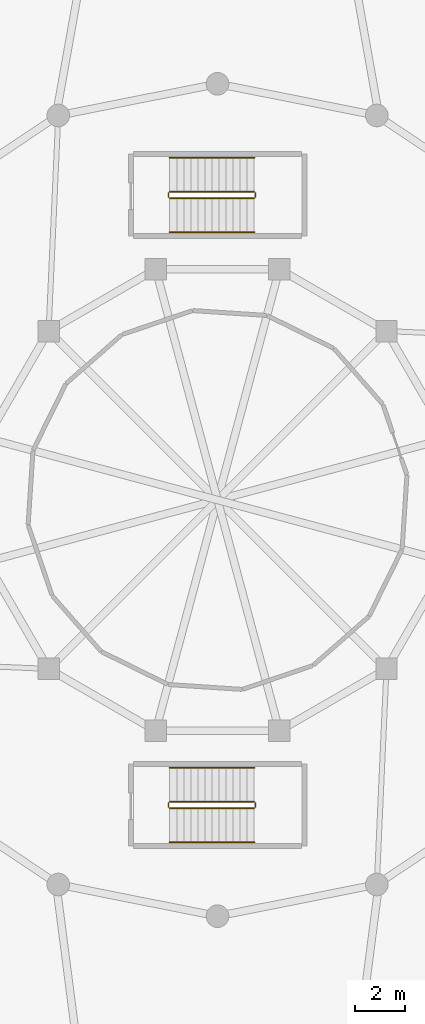
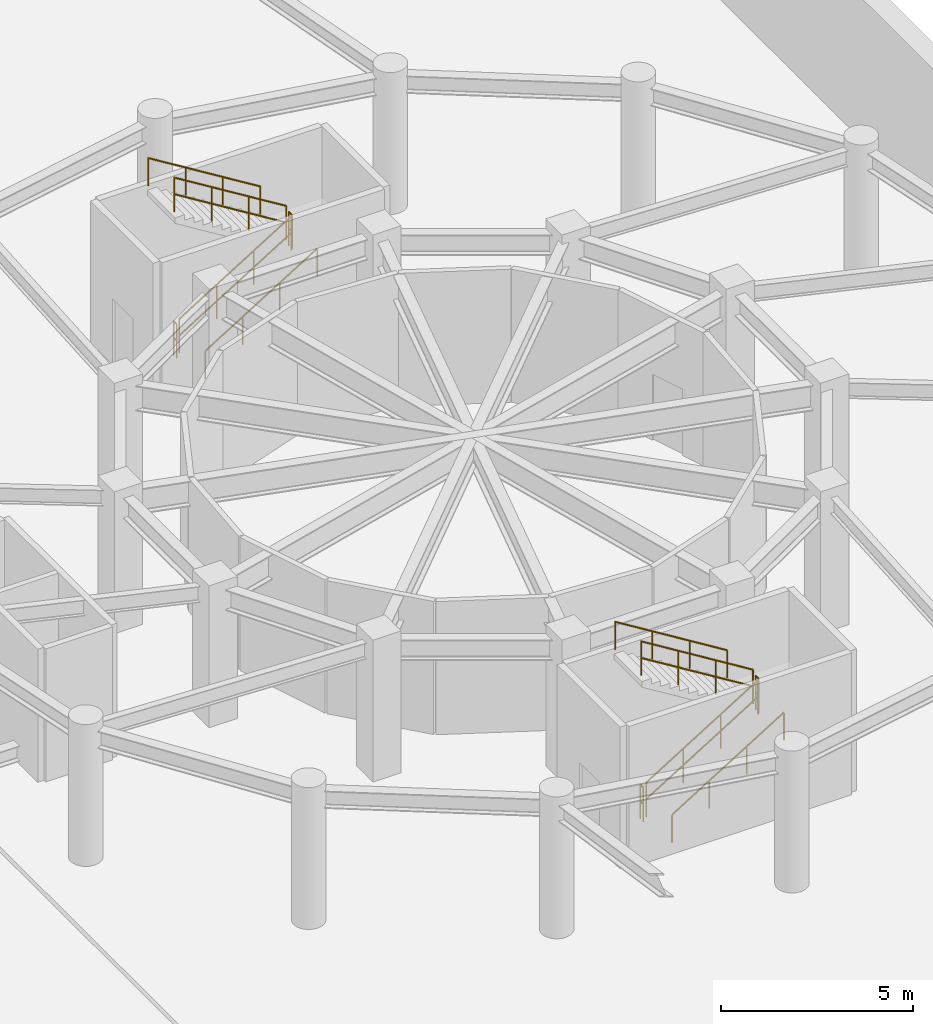
# One storey, part 14 of 15: 12 railings.
"""IFC4 building model written with IfcOpenShell, lengths in metres."""

from ifc_helpers import new_model, si_unit, derived_unit, direction, frame, origin, origin_2d, place, context, subcontext, project, spatial, circle, extrude, material, type_object, element, save


model = new_model("IFC4")

# Units and contexts
model_context = context("Model", 3, precision=1e-05, world=origin(), true_north=direction((0.0, 1.0)))
body_context = subcontext(model_context, "Body", "Model", "MODEL_VIEW")
ifc_project = project(units=[si_unit("LENGTHUNIT", "METRE"), si_unit("AREAUNIT", "SQUARE_METRE"), si_unit("VOLUMEUNIT", "CUBIC_METRE"), si_unit("PLANEANGLEUNIT", "RADIAN"), si_unit("MASSUNIT", "GRAM", prefix="KILO"), derived_unit("THERMALTRANSMITTANCEUNIT", [(si_unit("POWERUNIT", "WATT"), 1), (si_unit("LENGTHUNIT", "METRE"), -2), (si_unit("THERMODYNAMICTEMPERATUREUNIT", "KELVIN"), -1)])], contexts=[model_context])

# Site, building, storey
site_placement = place(None, origin())
site = spatial("IfcSite", under=ifc_project, at=site_placement, CompositionType="ELEMENT")
building_placement = place(site_placement, origin())
building = spatial("IfcBuilding", under=site, at=building_placement, Name="Korsvarv Bourse and Concert Hall", CompositionType="ELEMENT")
storey_placement = place(building_placement, frame((0.0, 0.0, -4.5)))
storey = spatial("IfcBuildingStorey", under=building, at=storey_placement, Name="B01", CompositionType="ELEMENT", Elevation=-4.5)

# Railings
ifc_material_1 = material(Name="Painted Steel S355 stair well guardrail", Category="steel")
railing_type_1 = type_object("IfcRailingType", Name="RL-ST-GRD", PredefinedType="GUARDRAIL", material=ifc_material_1)
railing_1_placement = place(storey_placement, frame((104.89990234375, 48.0, 0.173095703125)))
element("IfcRailing", 1, at=railing_1_placement, inside=storey, type_object=railing_type_1, Name="B01 ST-CH1 stair guard 1", PredefinedType="GUARDRAIL", context=body_context, shape_type="SweptSolid", body=[
    extrude(circle(Radius=0.02392578125, at=origin_2d()), frame((0.0, 0.0, 1.076171875), z_axis=(0.850623216509, 0.0, 0.525775754039), x_axis=(0.0, 1.0, 0.0)), (0.0, 0.0, 1.0), 3.9501953125),
    extrude(circle(Radius=0.02392578125, at=origin_2d()), frame((0.0, 0.0, 0.550048828125), z_axis=(0.850623216509, 0.0, 0.525775754039), x_axis=(0.0, 1.0, 0.0)), (0.0, 0.0, 1.0), 3.9501953125),
    extrude(circle(Radius=0.02099609375, at=origin_2d()), origin(), (0.0, 0.0, 1.0), 1.052001953125),
    extrude(circle(Radius=0.02099609375, at=origin_2d()), frame((1.1201171875, 0.0, 0.6923828125)), (0.0, 0.0, 1.0), 1.052001953125),
    extrude(circle(Radius=0.02099609375, at=origin_2d()), frame((2.239990234375, 0.0, 1.384521484375)), (0.0, 0.0, 1.0), 1.052001953125),
    extrude(circle(Radius=0.02099609375, at=origin_2d()), frame((3.360107421875, 0.0, 2.076904296875)), (0.0, 0.0, 1.0), 1.052001953125),
])
railing_2_placement = place(storey_placement, frame((108.31005859375, 48.050048828125, 2.25)))
element("IfcRailing", 2, at=railing_2_placement, inside=storey, type_object=railing_type_1, Name="B01 ST-CH1 stair guard 2", PredefinedType="GUARDRAIL", context=body_context, shape_type="SweptSolid", body=[
    extrude(circle(Radius=0.02392578125, at=origin_2d()), frame((0.0, 0.0, 1.076171875), z_axis=(0.0, 1.0, 0.0), x_axis=(-1.0, 0.0, 0.0)), (0.0, 0.0, 1.0), 0.159912109375),
    extrude(circle(Radius=0.02392578125, at=origin_2d()), frame((0.0, 0.0, 0.550048828125), z_axis=(0.0, 1.0, 0.0), x_axis=(-1.0, 0.0, 0.0)), (0.0, 0.0, 1.0), 0.159912109375),
    extrude(circle(Radius=0.02099609375, at=origin_2d()), origin(), (0.0, 0.0, 1.0), 1.052001953125),
    extrude(circle(Radius=0.02099609375, at=origin_2d()), frame((0.0, 0.159912109375, 0.0)), (0.0, 0.0, 1.0), 1.052001953125),
])
railing_3_placement = place(storey_placement, frame((108.260009765625, 48.260009765625, 2.423095703125)))
element("IfcRailing", 3, at=railing_3_placement, inside=storey, type_object=railing_type_1, Name="B01 ST-CH1 stair guard 3", PredefinedType="GUARDRAIL", context=body_context, shape_type="SweptSolid", body=[
    extrude(circle(Radius=0.02392578125, at=origin_2d()), frame((0.0, 0.0, 1.076171875), z_axis=(-0.850623216509, 0.0, 0.525775754039), x_axis=(0.0, -1.0, 0.0)), (0.0, 0.0, 1.0), 3.9501953125),
    extrude(circle(Radius=0.02392578125, at=origin_2d()), frame((0.0, 0.0, 0.550048828125), z_axis=(-0.850623216509, 0.0, 0.525775754039), x_axis=(0.0, -1.0, 0.0)), (0.0, 0.0, 1.0), 3.9501953125),
    extrude(circle(Radius=0.02099609375, at=origin_2d()), origin(), (0.0, 0.0, 1.0), 1.052001953125),
    extrude(circle(Radius=0.02099609375, at=origin_2d()), frame((-1.1201171875, 0.0, 0.6923828125)), (0.0, 0.0, 1.0), 1.052001953125),
    extrude(circle(Radius=0.02099609375, at=origin_2d()), frame((-2.239990234375, 0.0, 1.384521484375)), (0.0, 0.0, 1.0), 1.052001953125),
    extrude(circle(Radius=0.02099609375, at=origin_2d()), frame((-3.360107421875, 0.0, 2.076904296875)), (0.0, 0.0, 1.0), 1.052001953125),
])
railing_4_placement = place(storey_placement, frame((104.85009765625, 48.050048828125, 0.0)))
element("IfcRailing", 4, at=railing_4_placement, inside=storey, type_object=railing_type_1, Name="B01 ST-CH1 stair guard 4", PredefinedType="GUARDRAIL", context=body_context, shape_type="SweptSolid", body=[
    extrude(circle(Radius=0.02392578125, at=origin_2d()), frame((0.0, 0.0, 1.076171875), z_axis=(0.0, 1.0, 0.0), x_axis=(-1.0, 0.0, 0.0)), (0.0, 0.0, 1.0), 0.159912109375),
    extrude(circle(Radius=0.02392578125, at=origin_2d()), frame((0.0, 0.0, 0.550048828125), z_axis=(0.0, 1.0, 0.0), x_axis=(-1.0, 0.0, 0.0)), (0.0, 0.0, 1.0), 0.159912109375),
    extrude(circle(Radius=0.02099609375, at=origin_2d()), origin(), (0.0, 0.0, 1.0), 1.052001953125),
    extrude(circle(Radius=0.02099609375, at=origin_2d()), frame((0.0, 0.159912109375, 0.0)), (0.0, 0.0, 1.0), 1.052001953125),
])
railing_5_placement = place(storey_placement, frame((104.89990234375, 23.739990234375, 0.173095703125)))
element("IfcRailing", 5, at=railing_5_placement, inside=storey, type_object=railing_type_1, Name="B01 ST-CH2 stair guard 1", PredefinedType="GUARDRAIL", context=body_context, shape_type="SweptSolid", body=[
    extrude(circle(Radius=0.02392578125, at=origin_2d()), frame((0.0, 0.0, 1.076171875), z_axis=(0.850623216509, 0.0, 0.525775754039), x_axis=(0.0, 1.0, 0.0)), (0.0, 0.0, 1.0), 3.9501953125),
    extrude(circle(Radius=0.02392578125, at=origin_2d()), frame((0.0, 0.0, 0.550048828125), z_axis=(0.850623216509, 0.0, 0.525775754039), x_axis=(0.0, 1.0, 0.0)), (0.0, 0.0, 1.0), 3.9501953125),
    extrude(circle(Radius=0.02099609375, at=origin_2d()), origin(), (0.0, 0.0, 1.0), 1.052001953125),
    extrude(circle(Radius=0.02099609375, at=origin_2d()), frame((1.1201171875, 0.0, 0.6923828125)), (0.0, 0.0, 1.0), 1.052001953125),
    extrude(circle(Radius=0.02099609375, at=origin_2d()), frame((2.239990234375, 0.0, 1.384521484375)), (0.0, 0.0, 1.0), 1.052001953125),
    extrude(circle(Radius=0.02099609375, at=origin_2d()), frame((3.360107421875, 0.0, 2.076904296875)), (0.0, 0.0, 1.0), 1.052001953125),
])
railing_6_placement = place(storey_placement, frame((108.31005859375, 23.7900390625, 2.25)))
element("IfcRailing", 6, at=railing_6_placement, inside=storey, type_object=railing_type_1, Name="B01 ST-CH2 stair guard 2", PredefinedType="GUARDRAIL", context=body_context, shape_type="SweptSolid", body=[
    extrude(circle(Radius=0.02392578125, at=origin_2d()), frame((0.0, 0.0, 1.076171875), z_axis=(0.0, 1.0, 0.0), x_axis=(-1.0, 0.0, 0.0)), (0.0, 0.0, 1.0), 0.159912109375),
    extrude(circle(Radius=0.02392578125, at=origin_2d()), frame((0.0, 0.0, 0.550048828125), z_axis=(0.0, 1.0, 0.0), x_axis=(-1.0, 0.0, 0.0)), (0.0, 0.0, 1.0), 0.159912109375),
    extrude(circle(Radius=0.02099609375, at=origin_2d()), origin(), (0.0, 0.0, 1.0), 1.052001953125),
    extrude(circle(Radius=0.02099609375, at=origin_2d()), frame((0.0, 0.159912109375, 0.0)), (0.0, 0.0, 1.0), 1.052001953125),
])
railing_7_placement = place(storey_placement, frame((108.260009765625, 24.0, 2.423095703125)))
element("IfcRailing", 7, at=railing_7_placement, inside=storey, type_object=railing_type_1, Name="B01 ST-CH2 stair guard 3", PredefinedType="GUARDRAIL", context=body_context, shape_type="SweptSolid", body=[
    extrude(circle(Radius=0.02392578125, at=origin_2d()), frame((0.0, 0.0, 1.076171875), z_axis=(-0.850623216509, 0.0, 0.525775754039), x_axis=(0.0, -1.0, 0.0)), (0.0, 0.0, 1.0), 3.9501953125),
    extrude(circle(Radius=0.02392578125, at=origin_2d()), frame((0.0, 0.0, 0.550048828125), z_axis=(-0.850623216509, 0.0, 0.525775754039), x_axis=(0.0, -1.0, 0.0)), (0.0, 0.0, 1.0), 3.9501953125),
    extrude(circle(Radius=0.02099609375, at=origin_2d()), origin(), (0.0, 0.0, 1.0), 1.052001953125),
    extrude(circle(Radius=0.02099609375, at=origin_2d()), frame((-1.1201171875, 0.0, 0.6923828125)), (0.0, 0.0, 1.0), 1.052001953125),
    extrude(circle(Radius=0.02099609375, at=origin_2d()), frame((-2.239990234375, 0.0, 1.384521484375)), (0.0, 0.0, 1.0), 1.052001953125),
    extrude(circle(Radius=0.02099609375, at=origin_2d()), frame((-3.360107421875, 0.0, 2.076904296875)), (0.0, 0.0, 1.0), 1.052001953125),
])
railing_8_placement = place(storey_placement, frame((104.85009765625, 23.7900390625, 0.0)))
element("IfcRailing", 8, at=railing_8_placement, inside=storey, type_object=railing_type_1, Name="B01 ST-CH2 stair guard 4", PredefinedType="GUARDRAIL", context=body_context, shape_type="SweptSolid", body=[
    extrude(circle(Radius=0.02392578125, at=origin_2d()), frame((0.0, 0.0, 1.076171875), z_axis=(0.0, 1.0, 0.0), x_axis=(-1.0, 0.0, 0.0)), (0.0, 0.0, 1.0), 0.159912109375),
    extrude(circle(Radius=0.02392578125, at=origin_2d()), frame((0.0, 0.0, 0.550048828125), z_axis=(0.0, 1.0, 0.0), x_axis=(-1.0, 0.0, 0.0)), (0.0, 0.0, 1.0), 0.159912109375),
    extrude(circle(Radius=0.02099609375, at=origin_2d()), origin(), (0.0, 0.0, 1.0), 1.052001953125),
    extrude(circle(Radius=0.02099609375, at=origin_2d()), frame((0.0, 0.159912109375, 0.0)), (0.0, 0.0, 1.0), 1.052001953125),
])
ifc_material_2 = material(Name="Brushed stainless Steel S355 tubular handrail", Category="steel")
railing_type_2 = type_object("IfcRailingType", Name="RL-ST-HND", PredefinedType="HANDRAIL", material=ifc_material_2)
railing_9_placement = place(storey_placement, frame((104.89990234375, 46.64990234375, 0.173095703125)))
element("IfcRailing", 9, at=railing_9_placement, inside=storey, type_object=railing_type_2, Name="B01 ST-CH1 stair handrail 1", PredefinedType="HANDRAIL", context=body_context, shape_type="SweptSolid", body=[
    extrude(circle(Radius=0.02392578125, at=origin_2d()), frame((0.0, 0.0, 0.8759765625), z_axis=(0.850623216509, 0.0, 0.525775754039), x_axis=(0.0, 1.0, 0.0)), (0.0, 0.0, 1.0), 3.9501953125),
    extrude(circle(Radius=0.02099609375, at=origin_2d()), origin(), (0.0, 0.0, 1.0), 0.851806640625),
    extrude(circle(Radius=0.02099609375, at=origin_2d()), frame((1.1201171875, 0.0, 0.6923828125)), (0.0, 0.0, 1.0), 0.851806640625),
    extrude(circle(Radius=0.02099609375, at=origin_2d()), frame((2.239990234375, 0.0, 1.384521484375)), (0.0, 0.0, 1.0), 0.851806640625),
    extrude(circle(Radius=0.02099609375, at=origin_2d()), frame((3.360107421875, 0.0, 2.076904296875)), (0.0, 0.0, 1.0), 0.851806640625),
])
railing_10_placement = place(storey_placement, frame((108.260009765625, 49.610107421875, 2.423095703125)))
element("IfcRailing", 10, at=railing_10_placement, inside=storey, type_object=railing_type_2, Name="B01 ST-CH1 stair handrail 2", PredefinedType="HANDRAIL", context=body_context, shape_type="SweptSolid", body=[
    extrude(circle(Radius=0.02392578125, at=origin_2d()), frame((0.0, 0.0, 0.8759765625), z_axis=(-0.850623216509, 0.0, 0.525775754039), x_axis=(0.0, -1.0, 0.0)), (0.0, 0.0, 1.0), 3.9501953125),
    extrude(circle(Radius=0.02099609375, at=origin_2d()), origin(), (0.0, 0.0, 1.0), 0.851806640625),
    extrude(circle(Radius=0.02099609375, at=origin_2d()), frame((-1.1201171875, 0.0, 0.6923828125)), (0.0, 0.0, 1.0), 0.851806640625),
    extrude(circle(Radius=0.02099609375, at=origin_2d()), frame((-2.239990234375, 0.0, 1.384521484375)), (0.0, 0.0, 1.0), 0.851806640625),
    extrude(circle(Radius=0.02099609375, at=origin_2d()), frame((-3.360107421875, 0.0, 2.076904296875)), (0.0, 0.0, 1.0), 0.851806640625),
])
railing_11_placement = place(storey_placement, frame((104.89990234375, 22.389892578125, 0.173095703125)))
element("IfcRailing", 11, at=railing_11_placement, inside=storey, type_object=railing_type_2, Name="B01 ST-CH2 stair handrail 1", PredefinedType="HANDRAIL", context=body_context, shape_type="SweptSolid", body=[
    extrude(circle(Radius=0.02392578125, at=origin_2d()), frame((0.0, 0.0, 0.8759765625), z_axis=(0.850623216509, 0.0, 0.525775754039), x_axis=(0.0, 1.0, 0.0)), (0.0, 0.0, 1.0), 3.9501953125),
    extrude(circle(Radius=0.02099609375, at=origin_2d()), origin(), (0.0, 0.0, 1.0), 0.851806640625),
    extrude(circle(Radius=0.02099609375, at=origin_2d()), frame((1.1201171875, 0.0, 0.6923828125)), (0.0, 0.0, 1.0), 0.851806640625),
    extrude(circle(Radius=0.02099609375, at=origin_2d()), frame((2.239990234375, 0.0, 1.384521484375)), (0.0, 0.0, 1.0), 0.851806640625),
    extrude(circle(Radius=0.02099609375, at=origin_2d()), frame((3.360107421875, 0.0, 2.076904296875)), (0.0, 0.0, 1.0), 0.851806640625),
])
railing_12_placement = place(storey_placement, frame((108.260009765625, 25.35009765625, 2.423095703125)))
element("IfcRailing", 12, at=railing_12_placement, inside=storey, type_object=railing_type_2, Name="B01 ST-CH2 stair handrail 2", PredefinedType="HANDRAIL", context=body_context, shape_type="SweptSolid", body=[
    extrude(circle(Radius=0.02392578125, at=origin_2d()), frame((0.0, 0.0, 0.8759765625), z_axis=(-0.850623216509, 0.0, 0.525775754039), x_axis=(0.0, -1.0, 0.0)), (0.0, 0.0, 1.0), 3.9501953125),
    extrude(circle(Radius=0.02099609375, at=origin_2d()), origin(), (0.0, 0.0, 1.0), 0.851806640625),
    extrude(circle(Radius=0.02099609375, at=origin_2d()), frame((-1.1201171875, 0.0, 0.6923828125)), (0.0, 0.0, 1.0), 0.851806640625),
    extrude(circle(Radius=0.02099609375, at=origin_2d()), frame((-2.239990234375, 0.0, 1.384521484375)), (0.0, 0.0, 1.0), 0.851806640625),
    extrude(circle(Radius=0.02099609375, at=origin_2d()), frame((-3.360107421875, 0.0, 2.076904296875)), (0.0, 0.0, 1.0), 0.851806640625),
])

save(model, "model.ifc")
